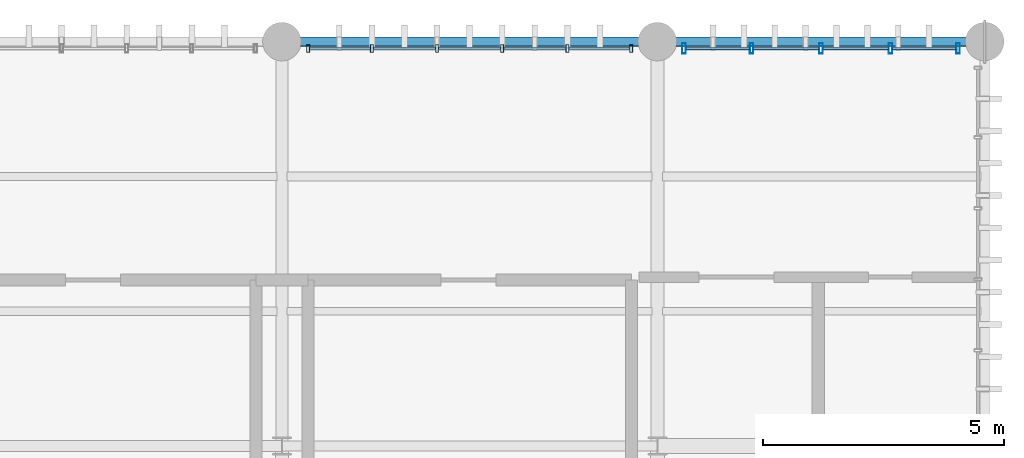
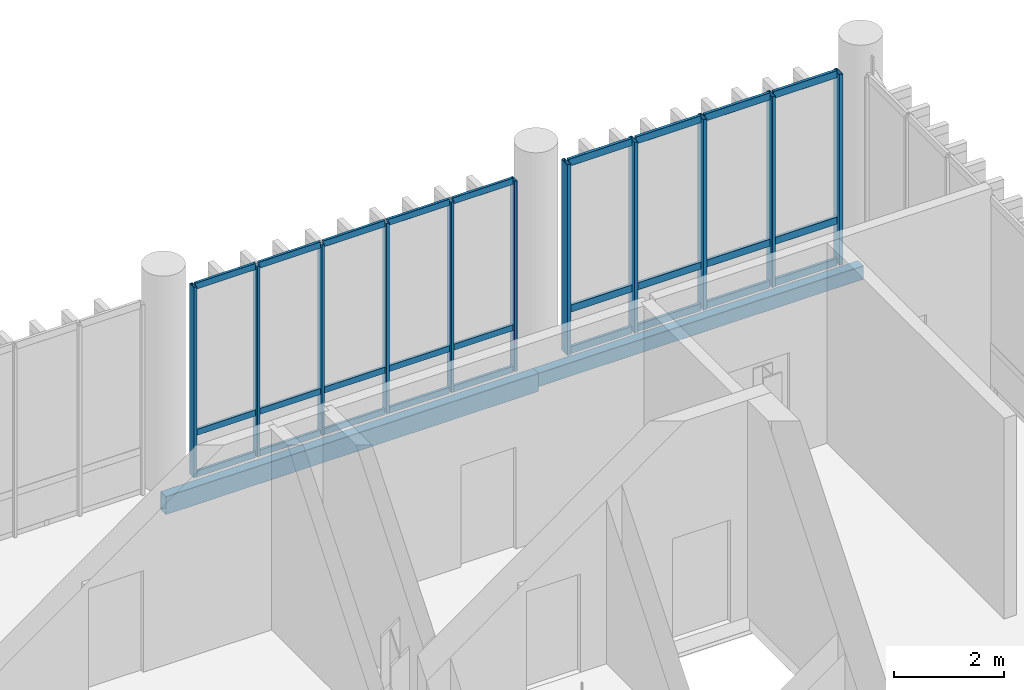
# One storey, part 78 of 109: 38 members, 2 beams, 2 elements without a shape of their own.
"""IFC4 building model written with IfcOpenShell, lengths in metres."""

from ifc_helpers import new_model, si_unit, direction, frame, origin_with_axes, origin_2d_with_axis, place, context, subcontext, project, spatial, hollow_rectangle, extrude, material, material_profile, profile_set, type_object, element, aggregate, save


model = new_model("IFC4")

# Units and contexts
model_context = context("Model", 3, precision=1e-05, world=origin_with_axes(), true_north=direction((0.0, 1.0)))
body_context = subcontext(model_context, "Body", "Model", "MODEL_VIEW")
ifc_project = project(units=[si_unit("LENGTHUNIT", "METRE"), si_unit("AREAUNIT", "SQUARE_METRE"), si_unit("VOLUMEUNIT", "CUBIC_METRE"), si_unit("PLANEANGLEUNIT", "RADIAN"), si_unit("MASSUNIT", "GRAM", prefix="KILO"), si_unit("THERMODYNAMICTEMPERATUREUNIT", "KELVIN")], contexts=[model_context])

# Site, building, storey
site_placement = place(None, origin_with_axes())
site = spatial("IfcSite", under=ifc_project, at=site_placement, CompositionType="ELEMENT")
building_placement = place(site_placement, origin_with_axes())
building = spatial("IfcBuilding", under=site, at=building_placement, Name="Montbau Bow Law Courts", CompositionType="ELEMENT")
storey_placement = place(building_placement, frame((0.0, 0.0, 10.8), z_axis=(0.0, 0.0, 1.0), x_axis=(1.0, 0.0, 0.0)))
storey = spatial("IfcBuildingStorey", under=building, at=storey_placement, Name="L02", CompositionType="ELEMENT", Elevation=10.8)

# Beams
ifc_material_1 = material(Name="Steel CSA G40.21 Grade 350WT (350 MPa)", Category="steel")
ifc_material_profile_1 = material_profile(ifc_material_1, hollow_rectangle(XDim=0.203, YDim=0.406, WallThickness=0.0127, InnerFilletRadius=0.0254, OuterFilletRadius=0.0127, at=origin_2d_with_axis()), Name="HSS406X203X13", Category="Main", Priority=0)
ifc_profile_set_1 = profile_set([ifc_material_profile_1], Name="Steel CSA G40.21 Grade 350WT (350 MPa)")
beam_type_1 = type_object("IfcBeamType", Name="B-SPN-01", PredefinedType="SPANDREL", material=ifc_profile_set_1)
beam_1_placement = place(None, frame((154.8, 103.2, 10.297), z_axis=(1.0, 0.0, 0.0), x_axis=(0.0, 1.0, 0.0)))
element("IfcBeam", 1, at=beam_1_placement, inside=storey, type_object=beam_type_1, Name="SPN-L02-S1183:bm2_1186", PredefinedType="SPANDREL", context=body_context, shape_type="SweptSolid", body=[
    extrude(hollow_rectangle(XDim=0.203, YDim=0.406, WallThickness=0.0127, InnerFilletRadius=0.0254, OuterFilletRadius=0.0127, at=origin_2d_with_axis()), origin_with_axes(), (0.0, 0.0, 1.0), 7.8),
])
ifc_material_profile_2 = material_profile(ifc_material_1, hollow_rectangle(XDim=0.203, YDim=0.305, WallThickness=0.0127, InnerFilletRadius=0.0254, OuterFilletRadius=0.0127, at=origin_2d_with_axis()), Name="HSS305X203X13", Category="Main", Priority=0)
ifc_profile_set_2 = profile_set([ifc_material_profile_2], Name="Steel CSA G40.21 Grade 350WT (350 MPa)")
beam_type_2 = type_object("IfcBeamType", Name="B-SPN-02", PredefinedType="SPANDREL", material=ifc_profile_set_2)
beam_2_placement = place(None, frame((162.6, 103.2, 10.348), z_axis=(1.0, 0.0, 0.0), x_axis=(0.0, 1.0, 0.0)))
element("IfcBeam", 2, at=beam_2_placement, inside=storey, type_object=beam_type_2, Name="SPN-L02-S1184:bm2_1187", PredefinedType="SPANDREL", context=body_context, shape_type="SweptSolid", body=[
    extrude(hollow_rectangle(XDim=0.203, YDim=0.305, WallThickness=0.0127, InnerFilletRadius=0.0254, OuterFilletRadius=0.0127, at=origin_2d_with_axis()), origin_with_axes(), (0.0, 0.0, 1.0), 6.8),
])

# Curtain wall, members
ifc_material_2 = material(Name="Thermally Broken Extruded Aluminium AA 6063-T6", Category="aluminium")
curtain_wall_type = type_object("IfcCurtainWallType", Name="CW-SLT-01", PredefinedType="NOTDEFINED", material=ifc_material_2)
curtain_wall_1_placement = place(None, frame((163.115, 103.06, 10.8), z_axis=(0.0, 0.0, 1.0), x_axis=(1.0, 0.0, 0.0)))
curtain_wall_1 = element("IfcCurtainWall", 3, at=curtain_wall_1_placement, inside=storey, type_object=curtain_wall_type, Name="CW-L02-300:cw_0300", PredefinedType="NOTDEFINED")
ifc_material_profile_3 = material_profile(ifc_material_2, hollow_rectangle(XDim=0.075, YDim=0.22, WallThickness=0.005, InnerFilletRadius=0.01, OuterFilletRadius=0.005, at=origin_2d_with_axis()), Name="CWM-220X75", Category="Main", Priority=0)
ifc_profile_set_3 = profile_set([ifc_material_profile_3], Name="Thermally Broken Extruded Aluminium AA 6063-T6")
member_type_1 = type_object("IfcMemberType", Name="M-MUL-01", PredefinedType="MULLION", material=ifc_profile_set_3)
member_1_placement = place(None, frame((163.152, 103.06, 10.8), z_axis=(0.0, 0.0, 1.0), x_axis=(1.0, 0.0, 0.0)))
member_1 = element("IfcMember", 4, at=member_1_placement, type_object=member_type_1, Name="CW-L02-300-M01:cw_0300_M01", PredefinedType="MULLION", context=body_context, shape_type="SweptSolid", body=[
    extrude(hollow_rectangle(XDim=0.075, YDim=0.22, WallThickness=0.005, InnerFilletRadius=0.01, OuterFilletRadius=0.005, at=origin_2d_with_axis()), origin_with_axes(), (0.0, 0.0, 1.0), 4.22),
])
member_2_placement = place(None, frame((164.557, 103.06, 10.8), z_axis=(0.0, 0.0, 1.0), x_axis=(1.0, 0.0, 0.0)))
member_2 = element("IfcMember", 5, at=member_2_placement, type_object=member_type_1, Name="CW-L02-300-M02:cw_0300_M02", PredefinedType="MULLION", context=body_context, shape_type="SweptSolid", body=[
    extrude(hollow_rectangle(XDim=0.075, YDim=0.22, WallThickness=0.005, InnerFilletRadius=0.01, OuterFilletRadius=0.005, at=origin_2d_with_axis()), origin_with_axes(), (0.0, 0.0, 1.0), 4.22),
])
member_3_placement = place(None, frame((166.0, 103.06, 10.8), z_axis=(0.0, 0.0, 1.0), x_axis=(1.0, 0.0, 0.0)))
member_3 = element("IfcMember", 6, at=member_3_placement, type_object=member_type_1, Name="CW-L02-300-M03:cw_0300_M03", PredefinedType="MULLION", context=body_context, shape_type="SweptSolid", body=[
    extrude(hollow_rectangle(XDim=0.075, YDim=0.22, WallThickness=0.005, InnerFilletRadius=0.01, OuterFilletRadius=0.005, at=origin_2d_with_axis()), origin_with_axes(), (0.0, 0.0, 1.0), 4.22),
])
member_4_placement = place(None, frame((167.442, 103.06, 10.8), z_axis=(0.0, 0.0, 1.0), x_axis=(1.0, 0.0, 0.0)))
member_4 = element("IfcMember", 7, at=member_4_placement, type_object=member_type_1, Name="CW-L02-300-M04:cw_0300_M04", PredefinedType="MULLION", context=body_context, shape_type="SweptSolid", body=[
    extrude(hollow_rectangle(XDim=0.075, YDim=0.22, WallThickness=0.005, InnerFilletRadius=0.01, OuterFilletRadius=0.005, at=origin_2d_with_axis()), origin_with_axes(), (0.0, 0.0, 1.0), 4.22),
])
member_5_placement = place(None, frame((168.847, 103.06, 10.8), z_axis=(0.0, 0.0, 1.0), x_axis=(1.0, 0.0, 0.0)))
member_5 = element("IfcMember", 8, at=member_5_placement, type_object=member_type_1, Name="CW-L02-300-M05:cw_0300_M05", PredefinedType="MULLION", context=body_context, shape_type="SweptSolid", body=[
    extrude(hollow_rectangle(XDim=0.075, YDim=0.22, WallThickness=0.005, InnerFilletRadius=0.01, OuterFilletRadius=0.005, at=origin_2d_with_axis()), origin_with_axes(), (0.0, 0.0, 1.0), 4.22),
])

curtain_wall_2_placement = place(None, frame((155.315, 103.06, 10.8), z_axis=(0.0, 0.0, 1.0), x_axis=(1.0, 0.0, 0.0)))
curtain_wall_2 = element("IfcCurtainWall", 9, at=curtain_wall_2_placement, inside=storey, type_object=curtain_wall_type, Name="CW-L02-299:cw_0299", PredefinedType="NOTDEFINED")
ifc_material_profile_4 = material_profile(ifc_material_2, hollow_rectangle(XDim=0.06, YDim=0.16, WallThickness=0.004, InnerFilletRadius=0.008, OuterFilletRadius=0.004, at=origin_2d_with_axis()), Name="CWM-160X60", Category="Main", Priority=0)
ifc_profile_set_4 = profile_set([ifc_material_profile_4], Name="Thermally Broken Extruded Aluminium AA 6063-T6")
member_type_2 = type_object("IfcMemberType", Name="M-MUL-03", PredefinedType="MULLION", material=ifc_profile_set_4)
member_6_placement = place(None, frame((155.345, 103.06, 10.8), z_axis=(0.0, 0.0, 1.0), x_axis=(1.0, 0.0, 0.0)))
member_6 = element("IfcMember", 10, at=member_6_placement, type_object=member_type_2, Name="CW-L02-299-M01:cw_0299_M01", PredefinedType="MULLION", context=body_context, shape_type="SweptSolid", body=[
    extrude(hollow_rectangle(XDim=0.06, YDim=0.16, WallThickness=0.004, InnerFilletRadius=0.008, OuterFilletRadius=0.004, at=origin_2d_with_axis()), origin_with_axes(), (0.0, 0.0, 1.0), 4.22),
])
member_7_placement = place(None, frame((156.669, 103.06, 10.8), z_axis=(0.0, 0.0, 1.0), x_axis=(1.0, 0.0, 0.0)))
member_7 = element("IfcMember", 11, at=member_7_placement, type_object=member_type_2, Name="CW-L02-299-M02:cw_0299_M02", PredefinedType="MULLION", context=body_context, shape_type="SweptSolid", body=[
    extrude(hollow_rectangle(XDim=0.06, YDim=0.16, WallThickness=0.004, InnerFilletRadius=0.008, OuterFilletRadius=0.004, at=origin_2d_with_axis()), origin_with_axes(), (0.0, 0.0, 1.0), 4.22),
])
member_8_placement = place(None, frame((158.023, 103.06, 10.8), z_axis=(0.0, 0.0, 1.0), x_axis=(1.0, 0.0, 0.0)))
member_8 = element("IfcMember", 12, at=member_8_placement, type_object=member_type_2, Name="CW-L02-299-M03:cw_0299_M03", PredefinedType="MULLION", context=body_context, shape_type="SweptSolid", body=[
    extrude(hollow_rectangle(XDim=0.06, YDim=0.16, WallThickness=0.004, InnerFilletRadius=0.008, OuterFilletRadius=0.004, at=origin_2d_with_axis()), origin_with_axes(), (0.0, 0.0, 1.0), 4.22),
])
member_9_placement = place(None, frame((159.377, 103.06, 10.8), z_axis=(0.0, 0.0, 1.0), x_axis=(1.0, 0.0, 0.0)))
member_9 = element("IfcMember", 13, at=member_9_placement, type_object=member_type_2, Name="CW-L02-299-M04:cw_0299_M04", PredefinedType="MULLION", context=body_context, shape_type="SweptSolid", body=[
    extrude(hollow_rectangle(XDim=0.06, YDim=0.16, WallThickness=0.004, InnerFilletRadius=0.008, OuterFilletRadius=0.004, at=origin_2d_with_axis()), origin_with_axes(), (0.0, 0.0, 1.0), 4.22),
])
member_10_placement = place(None, frame((160.731, 103.06, 10.8), z_axis=(0.0, 0.0, 1.0), x_axis=(1.0, 0.0, 0.0)))
member_10 = element("IfcMember", 14, at=member_10_placement, type_object=member_type_2, Name="CW-L02-299-M05:cw_0299_M05", PredefinedType="MULLION", context=body_context, shape_type="SweptSolid", body=[
    extrude(hollow_rectangle(XDim=0.06, YDim=0.16, WallThickness=0.004, InnerFilletRadius=0.008, OuterFilletRadius=0.004, at=origin_2d_with_axis()), origin_with_axes(), (0.0, 0.0, 1.0), 4.22),
])
member_11_placement = place(None, frame((162.055, 103.06, 10.8), z_axis=(0.0, 0.0, 1.0), x_axis=(1.0, 0.0, 0.0)))
member_11 = element("IfcMember", 15, at=member_11_placement, type_object=member_type_2, Name="CW-L02-299-M06:cw_0299_M06", PredefinedType="MULLION", context=body_context, shape_type="SweptSolid", body=[
    extrude(hollow_rectangle(XDim=0.06, YDim=0.16, WallThickness=0.004, InnerFilletRadius=0.008, OuterFilletRadius=0.004, at=origin_2d_with_axis()), origin_with_axes(), (0.0, 0.0, 1.0), 4.22),
])

# Member
ifc_material_profile_5 = material_profile(ifc_material_2, hollow_rectangle(XDim=0.06, YDim=0.16, WallThickness=0.004, InnerFilletRadius=0.008, OuterFilletRadius=0.004, at=origin_2d_with_axis()), Name="CWT-160X60", Category="Main", Priority=0)
ifc_profile_set_5 = profile_set([ifc_material_profile_5], Name="Thermally Broken Extruded Aluminium AA 6063-T6")
member_type_3 = type_object("IfcMemberType", Name="M-TRN-01", PredefinedType="USERDEFINED", material=ifc_profile_set_5)
member_12_placement = place(None, frame((163.191, 103.06, 10.83), z_axis=(1.0, 0.0, 0.0), x_axis=(0.0, 1.0, 0.0)))
member_12 = element("IfcMember", 16, at=member_12_placement, type_object=member_type_3, Name="CW-L02-300-T01-1:cw_0300_T01_1", ObjectType="TRANSOM", PredefinedType="USERDEFINED", context=body_context, shape_type="SweptSolid", body=[
    extrude(hollow_rectangle(XDim=0.06, YDim=0.16, WallThickness=0.004, InnerFilletRadius=0.008, OuterFilletRadius=0.004, at=origin_2d_with_axis()), origin_with_axes(), (0.0, 0.0, 1.0), 1.326),
])

member_13_placement = place(None, frame((163.191, 103.06, 11.75), z_axis=(1.0, 0.0, 0.0), x_axis=(0.0, 1.0, 0.0)))
member_13 = element("IfcMember", 17, at=member_13_placement, type_object=member_type_3, Name="CW-L02-300-T01-2:cw_0300_T01_2", ObjectType="TRANSOM", PredefinedType="USERDEFINED", context=body_context, shape_type="SweptSolid", body=[
    extrude(hollow_rectangle(XDim=0.06, YDim=0.16, WallThickness=0.004, InnerFilletRadius=0.008, OuterFilletRadius=0.004, at=origin_2d_with_axis()), origin_with_axes(), (0.0, 0.0, 1.0), 1.326),
])

member_14_placement = place(None, frame((163.191, 103.06, 14.99), z_axis=(1.0, 0.0, 0.0), x_axis=(0.0, 1.0, 0.0)))
member_14 = element("IfcMember", 18, at=member_14_placement, type_object=member_type_3, Name="CW-L02-300-T01-3:cw_0300_T01_3", ObjectType="TRANSOM", PredefinedType="USERDEFINED", context=body_context, shape_type="SweptSolid", body=[
    extrude(hollow_rectangle(XDim=0.06, YDim=0.16, WallThickness=0.004, InnerFilletRadius=0.008, OuterFilletRadius=0.004, at=origin_2d_with_axis()), origin_with_axes(), (0.0, 0.0, 1.0), 1.326),
])

member_15_placement = place(None, frame((164.597, 103.06, 10.83), z_axis=(1.0, 0.0, 0.0), x_axis=(0.0, 1.0, 0.0)))
member_15 = element("IfcMember", 19, at=member_15_placement, type_object=member_type_3, Name="CW-L02-300-T02-1:cw_0300_T02_1", ObjectType="TRANSOM", PredefinedType="USERDEFINED", context=body_context, shape_type="SweptSolid", body=[
    extrude(hollow_rectangle(XDim=0.06, YDim=0.16, WallThickness=0.004, InnerFilletRadius=0.008, OuterFilletRadius=0.004, at=origin_2d_with_axis()), origin_with_axes(), (0.0, 0.0, 1.0), 1.363),
])

member_16_placement = place(None, frame((164.597, 103.06, 11.75), z_axis=(1.0, 0.0, 0.0), x_axis=(0.0, 1.0, 0.0)))
member_16 = element("IfcMember", 20, at=member_16_placement, type_object=member_type_3, Name="CW-L02-300-T02-2:cw_0300_T02_2", ObjectType="TRANSOM", PredefinedType="USERDEFINED", context=body_context, shape_type="SweptSolid", body=[
    extrude(hollow_rectangle(XDim=0.06, YDim=0.16, WallThickness=0.004, InnerFilletRadius=0.008, OuterFilletRadius=0.004, at=origin_2d_with_axis()), origin_with_axes(), (0.0, 0.0, 1.0), 1.363),
])

member_17_placement = place(None, frame((164.597, 103.06, 14.99), z_axis=(1.0, 0.0, 0.0), x_axis=(0.0, 1.0, 0.0)))
member_17 = element("IfcMember", 21, at=member_17_placement, type_object=member_type_3, Name="CW-L02-300-T02-3:cw_0300_T02_3", ObjectType="TRANSOM", PredefinedType="USERDEFINED", context=body_context, shape_type="SweptSolid", body=[
    extrude(hollow_rectangle(XDim=0.06, YDim=0.16, WallThickness=0.004, InnerFilletRadius=0.008, OuterFilletRadius=0.004, at=origin_2d_with_axis()), origin_with_axes(), (0.0, 0.0, 1.0), 1.363),
])

member_18_placement = place(None, frame((166.039, 103.06, 10.83), z_axis=(1.0, 0.0, 0.0), x_axis=(0.0, 1.0, 0.0)))
member_18 = element("IfcMember", 22, at=member_18_placement, type_object=member_type_3, Name="CW-L02-300-T03-1:cw_0300_T03_1", ObjectType="TRANSOM", PredefinedType="USERDEFINED", context=body_context, shape_type="SweptSolid", body=[
    extrude(hollow_rectangle(XDim=0.06, YDim=0.16, WallThickness=0.004, InnerFilletRadius=0.008, OuterFilletRadius=0.004, at=origin_2d_with_axis()), origin_with_axes(), (0.0, 0.0, 1.0), 1.364),
])

member_19_placement = place(None, frame((166.039, 103.06, 11.75), z_axis=(1.0, 0.0, 0.0), x_axis=(0.0, 1.0, 0.0)))
member_19 = element("IfcMember", 23, at=member_19_placement, type_object=member_type_3, Name="CW-L02-300-T03-2:cw_0300_T03_2", ObjectType="TRANSOM", PredefinedType="USERDEFINED", context=body_context, shape_type="SweptSolid", body=[
    extrude(hollow_rectangle(XDim=0.06, YDim=0.16, WallThickness=0.004, InnerFilletRadius=0.008, OuterFilletRadius=0.004, at=origin_2d_with_axis()), origin_with_axes(), (0.0, 0.0, 1.0), 1.364),
])

member_20_placement = place(None, frame((166.039, 103.06, 14.99), z_axis=(1.0, 0.0, 0.0), x_axis=(0.0, 1.0, 0.0)))
member_20 = element("IfcMember", 24, at=member_20_placement, type_object=member_type_3, Name="CW-L02-300-T03-3:cw_0300_T03_3", ObjectType="TRANSOM", PredefinedType="USERDEFINED", context=body_context, shape_type="SweptSolid", body=[
    extrude(hollow_rectangle(XDim=0.06, YDim=0.16, WallThickness=0.004, InnerFilletRadius=0.008, OuterFilletRadius=0.004, at=origin_2d_with_axis()), origin_with_axes(), (0.0, 0.0, 1.0), 1.364),
])

member_21_placement = place(None, frame((167.481, 103.06, 10.83), z_axis=(1.0, 0.0, 0.0), x_axis=(0.0, 1.0, 0.0)))
member_21 = element("IfcMember", 25, at=member_21_placement, type_object=member_type_3, Name="CW-L02-300-T04-1:cw_0300_T04_1", ObjectType="TRANSOM", PredefinedType="USERDEFINED", context=body_context, shape_type="SweptSolid", body=[
    extrude(hollow_rectangle(XDim=0.06, YDim=0.16, WallThickness=0.004, InnerFilletRadius=0.008, OuterFilletRadius=0.004, at=origin_2d_with_axis()), origin_with_axes(), (0.0, 0.0, 1.0), 1.327),
])

member_22_placement = place(None, frame((167.481, 103.06, 11.75), z_axis=(1.0, 0.0, 0.0), x_axis=(0.0, 1.0, 0.0)))
member_22 = element("IfcMember", 26, at=member_22_placement, type_object=member_type_3, Name="CW-L02-300-T04-2:cw_0300_T04_2", ObjectType="TRANSOM", PredefinedType="USERDEFINED", context=body_context, shape_type="SweptSolid", body=[
    extrude(hollow_rectangle(XDim=0.06, YDim=0.16, WallThickness=0.004, InnerFilletRadius=0.008, OuterFilletRadius=0.004, at=origin_2d_with_axis()), origin_with_axes(), (0.0, 0.0, 1.0), 1.327),
])

member_23_placement = place(None, frame((167.481, 103.06, 14.99), z_axis=(1.0, 0.0, 0.0), x_axis=(0.0, 1.0, 0.0)))
member_23 = element("IfcMember", 27, at=member_23_placement, type_object=member_type_3, Name="CW-L02-300-T04-3:cw_0300_T04_3", ObjectType="TRANSOM", PredefinedType="USERDEFINED", context=body_context, shape_type="SweptSolid", body=[
    extrude(hollow_rectangle(XDim=0.06, YDim=0.16, WallThickness=0.004, InnerFilletRadius=0.008, OuterFilletRadius=0.004, at=origin_2d_with_axis()), origin_with_axes(), (0.0, 0.0, 1.0), 1.327),
])

aggregate(curtain_wall_1, [member_1, member_2, member_3, member_4, member_5, member_12, member_13, member_14, member_15, member_16, member_17, member_18, member_19, member_20, member_21, member_22, member_23])

ifc_material_profile_6 = material_profile(ifc_material_2, hollow_rectangle(XDim=0.055, YDim=0.14, WallThickness=0.004, InnerFilletRadius=0.008, OuterFilletRadius=0.004, at=origin_2d_with_axis()), Name="CWT-140X55", Category="Main", Priority=0)
ifc_profile_set_6 = profile_set([ifc_material_profile_6], Name="Thermally Broken Extruded Aluminium AA 6063-T6")
member_type_4 = type_object("IfcMemberType", Name="M-TRN-02", PredefinedType="USERDEFINED", material=ifc_profile_set_6)
member_24_placement = place(None, frame((155.377, 103.06, 10.828), z_axis=(1.0, 0.0, 0.0), x_axis=(0.0, 1.0, 0.0)))
member_24 = element("IfcMember", 28, at=member_24_placement, type_object=member_type_4, Name="CW-L02-299-T01-1:cw_0299_T01_1", ObjectType="TRANSOM", PredefinedType="USERDEFINED", context=body_context, shape_type="SweptSolid", body=[
    extrude(hollow_rectangle(XDim=0.055, YDim=0.14, WallThickness=0.004, InnerFilletRadius=0.008, OuterFilletRadius=0.004, at=origin_2d_with_axis()), origin_with_axes(), (0.0, 0.0, 1.0), 1.26),
])

member_25_placement = place(None, frame((155.377, 103.06, 11.75), z_axis=(1.0, 0.0, 0.0), x_axis=(0.0, 1.0, 0.0)))
member_25 = element("IfcMember", 29, at=member_25_placement, type_object=member_type_4, Name="CW-L02-299-T01-2:cw_0299_T01_2", ObjectType="TRANSOM", PredefinedType="USERDEFINED", context=body_context, shape_type="SweptSolid", body=[
    extrude(hollow_rectangle(XDim=0.055, YDim=0.14, WallThickness=0.004, InnerFilletRadius=0.008, OuterFilletRadius=0.004, at=origin_2d_with_axis()), origin_with_axes(), (0.0, 0.0, 1.0), 1.26),
])

member_26_placement = place(None, frame((155.377, 103.06, 14.992), z_axis=(1.0, 0.0, 0.0), x_axis=(0.0, 1.0, 0.0)))
member_26 = element("IfcMember", 30, at=member_26_placement, type_object=member_type_4, Name="CW-L02-299-T01-3:cw_0299_T01_3", ObjectType="TRANSOM", PredefinedType="USERDEFINED", context=body_context, shape_type="SweptSolid", body=[
    extrude(hollow_rectangle(XDim=0.055, YDim=0.14, WallThickness=0.004, InnerFilletRadius=0.008, OuterFilletRadius=0.004, at=origin_2d_with_axis()), origin_with_axes(), (0.0, 0.0, 1.0), 1.26),
])

member_27_placement = place(None, frame((156.701, 103.06, 10.828), z_axis=(1.0, 0.0, 0.0), x_axis=(0.0, 1.0, 0.0)))
member_27 = element("IfcMember", 31, at=member_27_placement, type_object=member_type_4, Name="CW-L02-299-T02-1:cw_0299_T02_1", ObjectType="TRANSOM", PredefinedType="USERDEFINED", context=body_context, shape_type="SweptSolid", body=[
    extrude(hollow_rectangle(XDim=0.055, YDim=0.14, WallThickness=0.004, InnerFilletRadius=0.008, OuterFilletRadius=0.004, at=origin_2d_with_axis()), origin_with_axes(), (0.0, 0.0, 1.0), 1.29),
])

member_28_placement = place(None, frame((156.701, 103.06, 11.75), z_axis=(1.0, 0.0, 0.0), x_axis=(0.0, 1.0, 0.0)))
member_28 = element("IfcMember", 32, at=member_28_placement, type_object=member_type_4, Name="CW-L02-299-T02-2:cw_0299_T02_2", ObjectType="TRANSOM", PredefinedType="USERDEFINED", context=body_context, shape_type="SweptSolid", body=[
    extrude(hollow_rectangle(XDim=0.055, YDim=0.14, WallThickness=0.004, InnerFilletRadius=0.008, OuterFilletRadius=0.004, at=origin_2d_with_axis()), origin_with_axes(), (0.0, 0.0, 1.0), 1.29),
])

member_29_placement = place(None, frame((156.701, 103.06, 14.992), z_axis=(1.0, 0.0, 0.0), x_axis=(0.0, 1.0, 0.0)))
member_29 = element("IfcMember", 33, at=member_29_placement, type_object=member_type_4, Name="CW-L02-299-T02-3:cw_0299_T02_3", ObjectType="TRANSOM", PredefinedType="USERDEFINED", context=body_context, shape_type="SweptSolid", body=[
    extrude(hollow_rectangle(XDim=0.055, YDim=0.14, WallThickness=0.004, InnerFilletRadius=0.008, OuterFilletRadius=0.004, at=origin_2d_with_axis()), origin_with_axes(), (0.0, 0.0, 1.0), 1.29),
])

member_30_placement = place(None, frame((158.055, 103.06, 10.828), z_axis=(1.0, 0.0, 0.0), x_axis=(0.0, 1.0, 0.0)))
member_30 = element("IfcMember", 34, at=member_30_placement, type_object=member_type_4, Name="CW-L02-299-T03-1:cw_0299_T03_1", ObjectType="TRANSOM", PredefinedType="USERDEFINED", context=body_context, shape_type="SweptSolid", body=[
    extrude(hollow_rectangle(XDim=0.055, YDim=0.14, WallThickness=0.004, InnerFilletRadius=0.008, OuterFilletRadius=0.004, at=origin_2d_with_axis()), origin_with_axes(), (0.0, 0.0, 1.0), 1.29),
])

member_31_placement = place(None, frame((158.055, 103.06, 11.75), z_axis=(1.0, 0.0, 0.0), x_axis=(0.0, 1.0, 0.0)))
member_31 = element("IfcMember", 35, at=member_31_placement, type_object=member_type_4, Name="CW-L02-299-T03-2:cw_0299_T03_2", ObjectType="TRANSOM", PredefinedType="USERDEFINED", context=body_context, shape_type="SweptSolid", body=[
    extrude(hollow_rectangle(XDim=0.055, YDim=0.14, WallThickness=0.004, InnerFilletRadius=0.008, OuterFilletRadius=0.004, at=origin_2d_with_axis()), origin_with_axes(), (0.0, 0.0, 1.0), 1.29),
])

member_32_placement = place(None, frame((158.055, 103.06, 14.992), z_axis=(1.0, 0.0, 0.0), x_axis=(0.0, 1.0, 0.0)))
member_32 = element("IfcMember", 36, at=member_32_placement, type_object=member_type_4, Name="CW-L02-299-T03-3:cw_0299_T03_3", ObjectType="TRANSOM", PredefinedType="USERDEFINED", context=body_context, shape_type="SweptSolid", body=[
    extrude(hollow_rectangle(XDim=0.055, YDim=0.14, WallThickness=0.004, InnerFilletRadius=0.008, OuterFilletRadius=0.004, at=origin_2d_with_axis()), origin_with_axes(), (0.0, 0.0, 1.0), 1.29),
])

member_33_placement = place(None, frame((159.409, 103.06, 10.828), z_axis=(1.0, 0.0, 0.0), x_axis=(0.0, 1.0, 0.0)))
member_33 = element("IfcMember", 37, at=member_33_placement, type_object=member_type_4, Name="CW-L02-299-T04-1:cw_0299_T04_1", ObjectType="TRANSOM", PredefinedType="USERDEFINED", context=body_context, shape_type="SweptSolid", body=[
    extrude(hollow_rectangle(XDim=0.055, YDim=0.14, WallThickness=0.004, InnerFilletRadius=0.008, OuterFilletRadius=0.004, at=origin_2d_with_axis()), origin_with_axes(), (0.0, 0.0, 1.0), 1.29),
])

member_34_placement = place(None, frame((159.409, 103.06, 11.75), z_axis=(1.0, 0.0, 0.0), x_axis=(0.0, 1.0, 0.0)))
member_34 = element("IfcMember", 38, at=member_34_placement, type_object=member_type_4, Name="CW-L02-299-T04-2:cw_0299_T04_2", ObjectType="TRANSOM", PredefinedType="USERDEFINED", context=body_context, shape_type="SweptSolid", body=[
    extrude(hollow_rectangle(XDim=0.055, YDim=0.14, WallThickness=0.004, InnerFilletRadius=0.008, OuterFilletRadius=0.004, at=origin_2d_with_axis()), origin_with_axes(), (0.0, 0.0, 1.0), 1.29),
])

member_35_placement = place(None, frame((159.409, 103.06, 14.992), z_axis=(1.0, 0.0, 0.0), x_axis=(0.0, 1.0, 0.0)))
member_35 = element("IfcMember", 39, at=member_35_placement, type_object=member_type_4, Name="CW-L02-299-T04-3:cw_0299_T04_3", ObjectType="TRANSOM", PredefinedType="USERDEFINED", context=body_context, shape_type="SweptSolid", body=[
    extrude(hollow_rectangle(XDim=0.055, YDim=0.14, WallThickness=0.004, InnerFilletRadius=0.008, OuterFilletRadius=0.004, at=origin_2d_with_axis()), origin_with_axes(), (0.0, 0.0, 1.0), 1.29),
])

member_36_placement = place(None, frame((160.763, 103.06, 10.828), z_axis=(1.0, 0.0, 0.0), x_axis=(0.0, 1.0, 0.0)))
member_36 = element("IfcMember", 40, at=member_36_placement, type_object=member_type_4, Name="CW-L02-299-T05-1:cw_0299_T05_1", ObjectType="TRANSOM", PredefinedType="USERDEFINED", context=body_context, shape_type="SweptSolid", body=[
    extrude(hollow_rectangle(XDim=0.055, YDim=0.14, WallThickness=0.004, InnerFilletRadius=0.008, OuterFilletRadius=0.004, at=origin_2d_with_axis()), origin_with_axes(), (0.0, 0.0, 1.0), 1.26),
])

member_37_placement = place(None, frame((160.763, 103.06, 11.75), z_axis=(1.0, 0.0, 0.0), x_axis=(0.0, 1.0, 0.0)))
member_37 = element("IfcMember", 41, at=member_37_placement, type_object=member_type_4, Name="CW-L02-299-T05-2:cw_0299_T05_2", ObjectType="TRANSOM", PredefinedType="USERDEFINED", context=body_context, shape_type="SweptSolid", body=[
    extrude(hollow_rectangle(XDim=0.055, YDim=0.14, WallThickness=0.004, InnerFilletRadius=0.008, OuterFilletRadius=0.004, at=origin_2d_with_axis()), origin_with_axes(), (0.0, 0.0, 1.0), 1.26),
])

member_38_placement = place(None, frame((160.763, 103.06, 14.992), z_axis=(1.0, 0.0, 0.0), x_axis=(0.0, 1.0, 0.0)))
member_38 = element("IfcMember", 42, at=member_38_placement, type_object=member_type_4, Name="CW-L02-299-T05-3:cw_0299_T05_3", ObjectType="TRANSOM", PredefinedType="USERDEFINED", context=body_context, shape_type="SweptSolid", body=[
    extrude(hollow_rectangle(XDim=0.055, YDim=0.14, WallThickness=0.004, InnerFilletRadius=0.008, OuterFilletRadius=0.004, at=origin_2d_with_axis()), origin_with_axes(), (0.0, 0.0, 1.0), 1.26),
])

aggregate(curtain_wall_2, [member_6, member_7, member_8, member_9, member_10, member_11, member_24, member_25, member_26, member_27, member_28, member_29, member_30, member_31, member_32, member_33, member_34, member_35, member_36, member_37, member_38])

save(model, "model.ifc")
